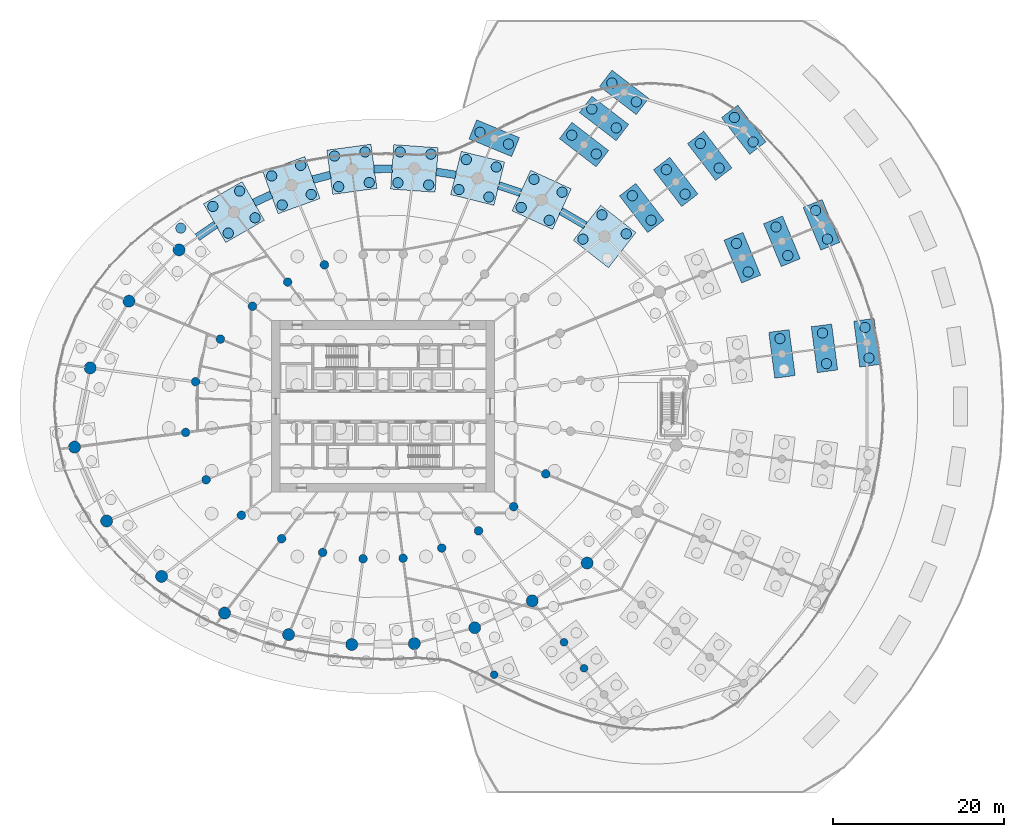
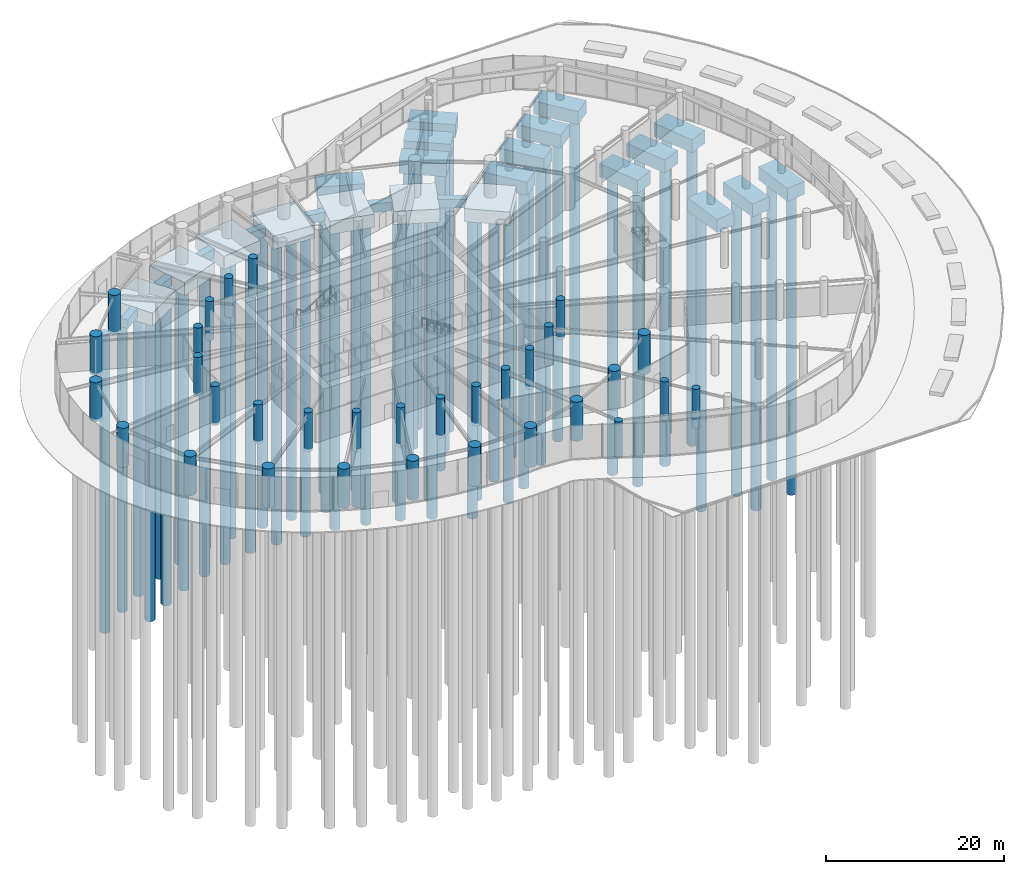
# One storey, part 3 of 28: 55 piles, 32 columns, 28 footings.
"""IFC4 building model written with IfcOpenShell, lengths in metres."""

from ifc_helpers import new_model, si_unit, direction, frame, origin, origin_2d, place, context, subcontext, project, spatial, line, indexed_curve, rectangle, circle, outline, extrude, source, transform, mapped, material, layer, layer_set, material_profile, profile_set, type_object, element, save


model = new_model("IFC4")

# Units and contexts
model_context = context("Model", 3, precision=1e-05, world=origin(), true_north=direction((0.0, 1.0)))
body_context = subcontext(model_context, "Body", "Model", "MODEL_VIEW")
ifc_project = project(units=[si_unit("LENGTHUNIT", "METRE"), si_unit("AREAUNIT", "SQUARE_METRE"), si_unit("VOLUMEUNIT", "CUBIC_METRE"), si_unit("PLANEANGLEUNIT", "RADIAN"), si_unit("MASSUNIT", "GRAM", prefix="KILO")], contexts=[model_context])

# Site, building, storey
site_placement = place(None, origin())
site = spatial("IfcSite", under=ifc_project, at=site_placement, CompositionType="ELEMENT")
building_placement = place(site_placement, origin())
building = spatial("IfcBuilding", under=site, at=building_placement, Name="Spindrift Exchange Tower", CompositionType="ELEMENT")
storey_placement = place(building_placement, origin())
storey = spatial("IfcBuildingStorey", under=building, at=storey_placement, Name="L00", CompositionType="ELEMENT", Elevation=0.0)

# Footings
ifc_material_1 = material(Name="Concrete 50 MPa", Category="concrete")
ifc_layer_1 = layer(ifc_material_1, 1.800048828125)
ifc_layer_set_1 = layer_set([ifc_layer_1], Name="Cascade Pile Cap Concrete 50 MPa")
footing_type_1 = type_object("IfcFootingType", Name="Cascade Pile Cap Concrete 50 MPa", PredefinedType="PILE_CAP", material=ifc_layer_set_1)
footing_1_placement = place(storey_placement, frame((0.0, 0.0, -2.14990234375)))
element("IfcFooting", 1, at=footing_1_placement, inside=storey, type_object=footing_type_1, Name="Pile cap G0-01", PredefinedType="PILE_CAP", context=body_context, shape_type="SweptSolid", body=[
    extrude(outline(indexed_curve([(107.5986328125, 52.5966796875), (106.89453125, 57.9501953125), (109.2734375, 58.263671875), (109.978515625, 52.91015625)], segments=[line(1, 2, 3, 4, 1)], self_intersect=False)), origin(), (0.0, 0.0, 1.0), 1.7998046875),
])
footing_2_placement = place(storey_placement, frame((0.0, 0.0, -2.14990234375)))
element("IfcFooting", 2, at=footing_2_placement, inside=storey, type_object=footing_type_1, Name="Pile cap G0-02", PredefinedType="PILE_CAP", context=body_context, shape_type="SweptSolid", body=[
    extrude(outline(indexed_curve([(103.056640625, 66.2255859375), (100.990234375, 71.21484375), (103.2080078125, 72.1337890625), (105.2744140625, 67.14453125)], segments=[line(1, 2, 3, 4, 1)], self_intersect=False)), origin(), (0.0, 0.0, 1.0), 1.7998046875),
])
footing_3_placement = place(storey_placement, frame((0.0, 0.0, -2.14990234375)))
element("IfcFooting", 3, at=footing_3_placement, inside=storey, type_object=footing_type_1, Name="Pile cap G0-03", PredefinedType="PILE_CAP", context=body_context, shape_type="SweptSolid", body=[
    extrude(outline(indexed_curve([(94.755859375, 77.404296875), (91.46875, 81.6884765625), (93.373046875, 83.1494140625), (96.66015625, 78.865234375)], segments=[line(1, 2, 3, 4, 1)], self_intersect=False)), origin(), (0.0, 0.0, 1.0), 1.7998046875),
])
footing_4_placement = place(storey_placement, frame((0.0, 0.0, -2.14990234375)))
element("IfcFooting", 4, at=footing_4_placement, inside=storey, type_object=footing_type_1, Name="Pile cap G0-04", PredefinedType="PILE_CAP", context=body_context, shape_type="SweptSolid", body=[
    extrude(outline(indexed_curve([(81.521484375, 82.037109375), (77.2373046875, 85.32421875), (78.6982421875, 87.228515625), (82.982421875, 83.94140625)], segments=[line(1, 2, 3, 4, 1)], self_intersect=False)), origin(), (0.0, 0.0, 1.0), 1.7998046875),
])
footing_5_placement = place(storey_placement, frame((0.0, 0.0, -2.14990234375)))
element("IfcFooting", 5, at=footing_5_placement, inside=storey, type_object=footing_type_1, Name="Pile cap G0-05", PredefinedType="PILE_CAP", context=body_context, shape_type="SweptSolid", body=[
    extrude(outline(indexed_curve([(66.9931640625, 77.1416015625), (62.0048828125, 79.2080078125), (62.9228515625, 81.42578125), (67.912109375, 79.359375)], segments=[line(1, 2, 3, 4, 1)], self_intersect=False)), origin(), (0.0, 0.0, 1.0), 1.7998046875),
])
footing_6_placement = place(storey_placement, frame((0.0, 0.0, -2.14990234375)))
element("IfcFooting", 6, at=footing_6_placement, inside=storey, type_object=footing_type_1, Name="Pile cap G1-01", PredefinedType="PILE_CAP", context=body_context, shape_type="SweptSolid", body=[
    extrude(outline(indexed_curve([(102.642578125, 51.9443359375), (101.9375, 57.2978515625), (104.31640625, 57.611328125), (105.021484375, 52.2568359375)], segments=[line(1, 2, 3, 4, 1)], self_intersect=False)), origin(), (0.0, 0.0, 1.0), 1.7998046875),
])
footing_7_placement = place(storey_placement, frame((0.0, 0.0, -2.14990234375)))
element("IfcFooting", 7, at=footing_7_placement, inside=storey, type_object=footing_type_1, Name="Pile cap G1-02", PredefinedType="PILE_CAP", context=body_context, shape_type="SweptSolid", body=[
    extrude(outline(indexed_curve([(98.4375, 64.3125), (96.37109375, 69.3017578125), (98.5888671875, 70.2197265625), (100.6552734375, 65.2314453125)], segments=[line(1, 2, 3, 4, 1)], self_intersect=False)), origin(), (0.0, 0.0, 1.0), 1.7998046875),
])
footing_8_placement = place(storey_placement, frame((0.0, 0.0, -2.14990234375)))
element("IfcFooting", 8, at=footing_8_placement, inside=storey, type_object=footing_type_1, Name="Pile cap G1-03", PredefinedType="PILE_CAP", context=body_context, shape_type="SweptSolid", body=[
    extrude(outline(indexed_curve([(90.7890625, 74.361328125), (87.501953125, 78.64453125), (89.40625, 80.1064453125), (92.693359375, 75.822265625)], segments=[line(1, 2, 3, 4, 1)], self_intersect=False)), origin(), (0.0, 0.0, 1.0), 1.7998046875),
])
footing_9_placement = place(storey_placement, frame((0.0, 0.0, -2.14990234375)))
element("IfcFooting", 9, at=footing_9_placement, inside=storey, type_object=footing_type_1, Name="Pile cap G1-04", PredefinedType="PILE_CAP", context=body_context, shape_type="SweptSolid", body=[
    extrude(outline(indexed_curve([(79.1845703125, 78.9921875), (74.900390625, 82.279296875), (76.361328125, 84.18359375), (80.6455078125, 80.896484375)], segments=[line(1, 2, 3, 4, 1)], self_intersect=False)), origin(), (0.0, 0.0, 1.0), 1.7998046875),
])
footing_10_placement = place(storey_placement, frame((0.0, 0.0, -2.14990234375)))
element("IfcFooting", 10, at=footing_10_placement, inside=storey, type_object=footing_type_1, Name="Pile cap G2-01", PredefinedType="PILE_CAP", context=body_context, shape_type="SweptSolid", body=[
    extrude(outline(indexed_curve([(97.685546875, 51.291015625), (96.98046875, 56.6455078125), (99.359375, 56.9580078125), (100.064453125, 51.6044921875)], segments=[line(1, 2, 3, 4, 1)], self_intersect=False)), origin(), (0.0, 0.0, 1.0), 1.7998046875),
])
footing_11_placement = place(storey_placement, frame((0.0, 0.0, -2.14990234375)))
element("IfcFooting", 11, at=footing_11_placement, inside=storey, type_object=footing_type_1, Name="Pile cap G2-02", PredefinedType="PILE_CAP", context=body_context, shape_type="SweptSolid", body=[
    extrude(outline(indexed_curve([(93.818359375, 62.3994140625), (91.751953125, 67.388671875), (93.9697265625, 68.306640625), (96.0361328125, 63.3173828125)], segments=[line(1, 2, 3, 4, 1)], self_intersect=False)), origin(), (0.0, 0.0, 1.0), 1.7998046875),
])
footing_12_placement = place(storey_placement, frame((0.0, 0.0, -2.14990234375)))
element("IfcFooting", 12, at=footing_12_placement, inside=storey, type_object=footing_type_1, Name="Pile cap G2-03", PredefinedType="PILE_CAP", context=body_context, shape_type="SweptSolid", body=[
    extrude(outline(indexed_curve([(86.8232421875, 71.3173828125), (83.53515625, 75.6015625), (85.439453125, 77.0625), (88.7265625, 72.7783203125)], segments=[line(1, 2, 3, 4, 1)], self_intersect=False)), origin(), (0.0, 0.0, 1.0), 1.7998046875),
])
footing_13_placement = place(storey_placement, frame((0.0, 0.0, -2.14990234375)))
element("IfcFooting", 13, at=footing_13_placement, inside=storey, type_object=footing_type_1, Name="Pile cap G2-04", PredefinedType="PILE_CAP", context=body_context, shape_type="SweptSolid", body=[
    extrude(outline(indexed_curve([(76.84765625, 75.947265625), (72.5634765625, 79.234375), (74.0244140625, 81.138671875), (78.30859375, 77.8515625)], segments=[line(1, 2, 3, 4, 1)], self_intersect=False)), origin(), (0.0, 0.0, 1.0), 1.7998046875),
])
footing_14_placement = place(storey_placement, frame((0.0, 0.0, -2.14990234375)))
element("IfcFooting", 14, at=footing_14_placement, inside=storey, type_object=footing_type_1, Name="Pile cap G3-03", PredefinedType="PILE_CAP", context=body_context, shape_type="SweptSolid", body=[
    extrude(outline(indexed_curve([(82.8564453125, 68.2734375), (79.5693359375, 72.5576171875), (81.47265625, 74.0185546875), (84.7607421875, 69.734375)], segments=[line(1, 2, 3, 4, 1)], self_intersect=False)), origin(), (0.0, 0.0, 1.0), 1.7998046875),
])
ifc_layer_2 = layer(ifc_material_1, 1.800048828125)
ifc_layer_set_2 = layer_set([ifc_layer_2], Name="Pile Cap Concrete 50 MPa")
footing_type_2 = type_object("IfcFootingType", Name="Pile Cap Concrete 50 MPa", PredefinedType="PILE_CAP", material=ifc_layer_set_2)
footing_15_placement = place(storey_placement, frame((0.0, 0.0, -2.14990234375)))
element("IfcFooting", 15, at=footing_15_placement, inside=storey, type_object=footing_type_2, Name="Pile cap P1-03", PredefinedType="PILE_CAP", context=body_context, shape_type="SweptSolid", body=[
    extrude(outline(indexed_curve([(81.4853515625, 68.2734375), (77.38671875, 71.4736328125), (74.1865234375, 67.375), (78.28515625, 64.1748046875)], segments=[line(1, 2, 3, 4, 1)], self_intersect=False)), origin(), (0.0, 0.0, 1.0), 1.7998046875),
])
footing_16_placement = place(storey_placement, frame((0.0, 0.0, -2.14990234375)))
element("IfcFooting", 16, at=footing_16_placement, inside=storey, type_object=footing_type_2, Name="Pile cap P1-04", PredefinedType="PILE_CAP", context=body_context, shape_type="SweptSolid", body=[
    extrude(outline(indexed_curve([(73.939453125, 73.380859375), (69.2119140625, 75.546875), (67.0458984375, 70.8193359375), (71.7734375, 68.6533203125)], segments=[line(1, 2, 3, 4, 1)], self_intersect=False)), origin(), (0.0, 0.0, 1.0), 1.7998046875),
])
footing_17_placement = place(storey_placement, frame((0.0, 0.0, -2.14990234375)))
element("IfcFooting", 17, at=footing_17_placement, inside=storey, type_object=footing_type_2, Name="Pile cap P1-05", PredefinedType="PILE_CAP", context=body_context, shape_type="SweptSolid", body=[
    extrude(outline(indexed_curve([(66.169921875, 76.5126953125), (61.12109375, 77.7587890625), (59.8759765625, 72.7099609375), (64.923828125, 71.4638671875)], segments=[line(1, 2, 3, 4, 1)], self_intersect=False)), origin(), (0.0, 0.0, 1.0), 1.7998046875),
])
footing_18_placement = place(storey_placement, frame((0.0, 0.0, -2.14990234375)))
element("IfcFooting", 18, at=footing_18_placement, inside=storey, type_object=footing_type_2, Name="Pile cap P1-06", PredefinedType="PILE_CAP", context=body_context, shape_type="SweptSolid", body=[
    extrude(outline(indexed_curve([(58.43359375, 78.1689453125), (53.2470703125, 78.5400390625), (52.8759765625, 73.353515625), (58.0625, 72.982421875)], segments=[line(1, 2, 3, 4, 1)], self_intersect=False)), origin(), (0.0, 0.0, 1.0), 1.7998046875),
])
footing_19_placement = place(storey_placement, frame((0.0, 0.0, -2.14990234375)))
element("IfcFooting", 19, at=footing_19_placement, inside=storey, type_object=footing_type_2, Name="Pile cap P1-07", PredefinedType="PILE_CAP", context=body_context, shape_type="SweptSolid", body=[
    extrude(outline(indexed_curve([(50.583984375, 78.587890625), (45.431640625, 77.88671875), (46.1328125, 72.734375), (51.28515625, 73.435546875)], segments=[line(1, 2, 3, 4, 1)], self_intersect=False)), origin(), (0.0, 0.0, 1.0), 1.7998046875),
])
footing_20_placement = place(storey_placement, frame((0.0, 0.0, -2.14990234375)))
element("IfcFooting", 20, at=footing_20_placement, inside=storey, type_object=footing_type_2, Name="Pile cap P1-08", PredefinedType="PILE_CAP", context=body_context, shape_type="SweptSolid", body=[
    extrude(outline(indexed_curve([(42.8671875, 77.1396484375), (37.978515625, 75.3662109375), (39.751953125, 70.4775390625), (44.640625, 72.2509765625)], segments=[line(1, 2, 3, 4, 1)], self_intersect=False)), origin(), (0.0, 0.0, 1.0), 1.7998046875),
])
footing_21_placement = place(storey_placement, frame((0.0, 0.0, -2.14990234375)))
element("IfcFooting", 21, at=footing_21_placement, inside=storey, type_object=footing_type_2, Name="Pile cap P1-09", PredefinedType="PILE_CAP", context=body_context, shape_type="SweptSolid", body=[
    extrude(outline(indexed_curve([(35.5595703125, 74.2216796875), (31.052734375, 71.6279296875), (33.6474609375, 67.12109375), (38.1533203125, 69.71484375)], segments=[line(1, 2, 3, 4, 1)], self_intersect=False)), origin(), (0.0, 0.0, 1.0), 1.7998046875),
])

# Piles
ifc_material_2 = material(Name="Concrete 40 MPa", Category="concrete")
ifc_material_profile_1 = material_profile(ifc_material_2, circle(Radius=0.60009765625, at=origin_2d()), Name="BP D1200")
ifc_profile_set_1 = profile_set([ifc_material_profile_1], Name="Concrete 40 MPa")
pile_type = type_object("IfcPileType", Name="Bored Pile D1200 Concrete 40 MPa", PredefinedType="BORED", material=ifc_profile_set_1)
shared_shape_1 = source(origin(), body_context, "Body", "SweptSolid", [
    extrude(circle(Radius=0.60009765625, at=origin_2d()), origin(), (0.0, 0.0, 1.0), 40.85009765625),
])
for number, where, z_axis, x_axis, name in (
    (22, (80.362060546875, 68.13525390625, -2.14990234375), (0.0, 0.0, -1.0), (1.0, 0.0, 0.0), "Bored pile P1-03-1"),
    (23, (77.524658203125, 70.350830078125, -2.14990234375), (0.0, 0.0, -1.0), (1.0, 0.0, 0.0), "Bored pile P1-03-2"),
    (24, (75.30908203125, 67.513427734375, -2.14990234375), (0.0, 0.0, -1.0), (1.0, 0.0, 0.0), "Bored pile P1-03-3"),
    (25, (72.87841796875, 72.986328125, -2.14990234375), (0.0, 0.0, -1.0), (1.0, 0.0, 0.0), "Bored pile P1-04-1"),
    (26, (69.605712890625, 74.48583984375, -2.14990234375), (0.0, 0.0, -1.0), (1.0, 0.0, 0.0), "Bored pile P1-04-2"),
    (27, (68.106201171875, 71.213134765625, -2.14990234375), (0.0, 0.0, -1.0), (1.0, 0.0, 0.0), "Bored pile P1-04-3"),
    (28, (71.37890625, 69.71337890625, -2.14990234375), (0.0, 0.0, -1.0), (1.0, 0.0, 0.0), "Bored pile P1-04-4"),
    (29, (65.20166015625, 75.927734375, -2.14990234375), (0.0, 0.0, -1.0), (1.0, 0.0, 0.0), "Bored pile P1-05-1"),
    (30, (61.70654296875, 76.790283203125, -2.14990234375), (0.0, 0.0, -1.0), (1.0, 0.0, 0.0), "Bored pile P1-05-2"),
    (31, (60.843994140625, 73.295166015625, -2.14990234375), (0.0, 0.0, -1.0), (1.0, 0.0, 0.0), "Bored pile P1-05-3"),
    (32, (64.339111328125, 72.4326171875, -2.14990234375), (0.0, 0.0, -1.0), (1.0, 0.0, 0.0), "Bored pile P1-05-4"),
    (33, (57.578857421875, 77.42822265625, -2.14990234375), (0.0, 0.0, -1.0), (1.0, 0.0, 0.0), "Bored pile P1-06-1"),
    (34, (53.988037109375, 77.685302734375, -2.14990234375), (0.0, 0.0, -1.0), (1.0, 0.0, 0.0), "Bored pile P1-06-2"),
    (35, (53.73095703125, 74.094482421875, -2.14990234375), (0.0, 0.0, -1.0), (1.0, 0.0, 0.0), "Bored pile P1-06-3"),
    (36, (57.32177734375, 73.83740234375, -2.14990234375), (0.0, 0.0, -1.0), (1.0, 0.0, 0.0), "Bored pile P1-06-4"),
    (37, (49.899169921875, 77.6875, -2.14990234375), (0.0, 0.0, -1.0), (1.0, 0.0, 0.0), "Bored pile P1-07-1"),
    (38, (46.33203125, 77.2021484375, -2.14990234375), (0.0, 0.0, -1.0), (1.0, 0.0, 0.0), "Bored pile P1-07-2"),
    (39, (46.8173828125, 73.635009765625, -2.14990234375), (0.0, 0.0, -1.0), (1.0, 0.0, 0.0), "Bored pile P1-07-3"),
    (40, (50.384521484375, 74.12060546875, -2.14990234375), (0.0, 0.0, -1.0), (1.0, 0.0, 0.0), "Bored pile P1-07-4"),
    (41, (42.387939453125, 76.114501953125, -2.14990234375), (0.0, 0.0, -1.0), (1.0, 0.0, 0.0), "Bored pile P1-08-1"),
    (42, (39.00390625, 74.886962890625, -2.14990234375), (0.0, 0.0, -1.0), (1.0, 0.0, 0.0), "Bored pile P1-08-2"),
    (43, (40.2314453125, 71.502685546875, -2.14990234375), (0.0, 0.0, -1.0), (1.0, 0.0, 0.0), "Bored pile P1-08-3"),
    (44, (43.615478515625, 72.730224609375, -2.14990234375), (0.0, 0.0, -1.0), (1.0, 0.0, 0.0), "Bored pile P1-08-4"),
    (45, (35.265380859375, 73.129638671875, -2.14990234375), (0.0, 0.0, -1.0), (1.0, 0.0, 0.0), "Bored pile P1-09-1"),
    (46, (32.1455078125, 71.333740234375, -2.14990234375), (0.0, 0.0, -1.0), (1.0, 0.0, 0.0), "Bored pile P1-09-2"),
    (47, (33.94140625, 68.213623046875, -2.14990234375), (0.0, 0.0, -1.0), (1.0, 0.0, 0.0), "Bored pile P1-09-3"),
    (48, (37.061279296875, 70.009521484375, -2.14990234375), (0.0, 0.0, -1.0), (1.0, 0.0, 0.0), "Bored pile P1-09-4"),
    (49, (28.4072265625, 68.7998046875, -2.14990234375), (0.0, 0.0, -1.0), (1.0, 0.0, 0.0), "Bored pile P1-10-1"),
    (50, (108.67138671875, 53.6455078125, -2.14990234375), (0.0, 0.0, -1.0), (1.0, 0.0, 0.0), "Bored pile G0-01-1"),
    (51, (108.201416015625, 57.214599609375, -2.14990234375), (0.0, 0.0, -1.0), (1.0, 0.0, 0.0), "Bored pile G0-01-2"),
    (52, (103.821044921875, 67.5166015625, -2.14990234375), (0.0, 0.0, -1.0), (1.0, 0.0, 0.0), "Bored pile G0-02-1"),
    (53, (102.443603515625, 70.8427734375, -2.14990234375), (0.0, 0.0, -1.0), (1.0, 0.0, 0.0), "Bored pile G0-02-2"),
    (54, (95.160400390625, 78.84912109375, -2.14990234375), (0.0, 0.0, -1.0), (1.0, 0.0, 0.0), "Bored pile G0-03-1"),
    (55, (92.96875, 81.705078125, -2.14990234375), (0.0, 0.0, -1.0), (1.0, 0.0, 0.0), "Bored pile G0-03-2"),
    (56, (81.53759765625, 83.537353515625, -2.14990234375), (0.0, 0.0, -1.0), (1.0, 0.0, 0.0), "Bored pile G0-04-1"),
    (57, (78.681640625, 85.72900390625, -2.14990234375), (0.0, 0.0, -1.0), (1.0, 0.0, 0.0), "Bored pile G0-04-2"),
    (58, (66.62109375, 78.5947265625, -2.14990234375), (0.0, 0.0, -1.0), (1.0, 0.0, 0.0), "Bored pile G0-05-1"),
    (59, (63.295166015625, 79.972412109375, -2.14990234375), (0.0, 0.0, -1.0), (1.0, 0.0, 0.0), "Bored pile G0-05-2"),
    (60, (103.71435546875, 52.992919921875, -2.14990234375), (0.0, 0.0, -1.0), (1.0, 0.0, 0.0), "Bored pile G1-01-1"),
    (61, (103.244384765625, 56.56201171875, -2.14990234375), (0.0, 0.0, -1.0), (1.0, 0.0, 0.0), "Bored pile G1-01-2"),
    (62, (99.201904296875, 65.603515625, -2.14990234375), (0.0, 0.0, -1.0), (1.0, 0.0, 0.0), "Bored pile G1-02-1"),
    (63, (97.82421875, 68.929443359375, -2.14990234375), (0.0, 0.0, -1.0), (1.0, 0.0, 0.0), "Bored pile G1-02-2"),
    (64, (91.193603515625, 75.805419921875, -2.14990234375), (0.0, 0.0, -1.0), (1.0, 0.0, 0.0), "Bored pile G1-03-1"),
    (65, (89.002197265625, 78.66162109375, -2.14990234375), (0.0, 0.0, -1.0), (1.0, 0.0, 0.0), "Bored pile G1-03-2"),
    (66, (79.200927734375, 80.4921875, -2.14990234375), (0.0, 0.0, -1.0), (1.0, 0.0, 0.0), "Bored pile G1-04-1"),
    (67, (76.344970703125, 82.683837890625, -2.14990234375), (0.0, 0.0, -1.0), (1.0, 0.0, 0.0), "Bored pile G1-04-2"),
    (68, (98.28759765625, 55.909423828125, -2.14990234375), (0.0, 0.0, -1.0), (1.0, 0.0, 0.0), "Bored pile G2-01-2"),
    (69, (94.582763671875, 63.68994140625, -2.14990234375), (0.0, 0.0, -1.0), (1.0, 0.0, 0.0), "Bored pile G2-02-1"),
    (70, (93.205078125, 67.01611328125, -2.14990234375), (0.0, 0.0, -1.0), (1.0, 0.0, 0.0), "Bored pile G2-02-2"),
    (71, (87.22705078125, 72.76171875, -2.14990234375), (0.0, 0.0, -1.0), (1.0, 0.0, 0.0), "Bored pile G2-03-1"),
    (72, (85.035400390625, 75.617919921875, -2.14990234375), (0.0, 0.0, -1.0), (1.0, 0.0, 0.0), "Bored pile G2-03-2"),
    (73, (76.8642578125, 77.447021484375, -2.14990234375), (0.0, 0.0, -1.0), (1.0, 0.0, 0.0), "Bored pile G2-04-1"),
    (74, (74.00830078125, 79.638671875, -2.14990234375), (0.0, 0.0, -1.0), (1.0, 0.0, 0.0), "Bored pile G2-04-2"),
    (75, (83.260498046875, 69.718017578125, -2.14990234375), (0.0, 0.0, -1.0), (1.0, 0.0, 0.0), "Bored pile G3-03-1"),
    (76, (81.06884765625, 72.57421875, -2.14990234375), (0.0, 0.0, -1.0), (1.0, 0.0, 0.0), "Bored pile G3-03-2"),
):
    element("IfcPile", number, at=place(storey_placement, frame(where, z_axis=z_axis, x_axis=x_axis)), inside=storey, type_object=pile_type, Name=name, PredefinedType="BORED", context=body_context, shape_type="MappedRepresentation", body=[
        mapped(shared_shape_1, transform((0.0, 0.0, 0.0), scale=1.0)),
    ])

# Footings
ifc_material_profile_2 = material_profile(ifc_material_1, rectangle(XDim=0.89990234375, YDim=1.199951171875, at=origin_2d()), Name="RC 900x1200")
ifc_profile_set_2 = profile_set([ifc_material_profile_2], Name="Concrete 50 MPa")
footing_type_3 = type_object("IfcFootingType", Name="Ground Tie Beam Concrete 50 MPa", PredefinedType="FOOTING_BEAM", material=ifc_profile_set_2)
shared_shape_2 = source(origin(), body_context, "Body", "SweptSolid", [
    extrude(rectangle(XDim=0.89990234375, YDim=1.199951171875, at=origin_2d()), origin(), (0.0, 0.0, 1.0), 3.30078125),
])
footing_22_placement = place(storey_placement, frame((75.585205078125, 69.134521484375, -0.949951171875), z_axis=(-0.864186373898, 0.503171850533, 0.0), x_axis=(-0.503171850533, -0.864186373898, 0.0)))
element("IfcFooting", 77, at=footing_22_placement, inside=storey, type_object=footing_type_3, Name="Ground tie beam TB03", PredefinedType="FOOTING_BEAM", context=body_context, shape_type="MappedRepresentation", body=[
    mapped(shared_shape_2, transform((0.0, 0.0, 0.0), scale=1.0)),
])
shared_shape_3 = source(origin(), body_context, "Body", "SweptSolid", [
    extrude(rectangle(XDim=0.89990234375, YDim=1.199951171875, at=origin_2d()), origin(), (0.0, 0.0, 1.0), 2.697265625),
])
footing_23_placement = place(storey_placement, frame((68.033203125, 72.926513671875, -0.949951171875), z_axis=(-0.947829062971, 0.318779025953, 0.0), x_axis=(-0.318779025953, -0.947829062971, 0.0)))
element("IfcFooting", 78, at=footing_23_placement, inside=storey, type_object=footing_type_3, Name="Ground tie beam TB04", PredefinedType="FOOTING_BEAM", context=body_context, shape_type="MappedRepresentation", body=[
    mapped(shared_shape_3, transform((0.0, 0.0, 0.0), scale=1.0)),
])
shared_shape_4 = source(origin(), body_context, "Body", "SweptSolid", [
    extrude(rectangle(XDim=0.89990234375, YDim=1.199951171875, at=origin_2d()), origin(), (0.0, 0.0, 1.0), 2.2783203125),
])
footing_24_placement = place(storey_placement, frame((60.4638671875, 75.0107421875, -0.949951171875), z_axis=(-0.988038579909, 0.15420688899, 0.0), x_axis=(-0.15420688899, -0.988038579909, 0.0)))
element("IfcFooting", 79, at=footing_24_placement, inside=storey, type_object=footing_type_3, Name="Ground tie beam TB05", PredefinedType="FOOTING_BEAM", context=body_context, shape_type="MappedRepresentation", body=[
    mapped(shared_shape_4, transform((0.0, 0.0, 0.0), scale=1.0)),
])
shared_shape_5 = source(origin(), body_context, "Body", "SweptSolid", [
    extrude(rectangle(XDim=0.89990234375, YDim=1.199951171875, at=origin_2d()), origin(), (0.0, 0.0, 1.0), 2.1083984375),
])
footing_25_placement = place(storey_placement, frame((53.065673828125, 75.725830078125, -0.949951171875), z_axis=(-0.99990664265, -0.013664039818, 0.0), x_axis=(0.013664039818, -0.99990664265, 0.0)))
element("IfcFooting", 80, at=footing_25_placement, inside=storey, type_object=footing_type_3, Name="Ground tie beam TB06", PredefinedType="FOOTING_BEAM", context=body_context, shape_type="MappedRepresentation", body=[
    mapped(shared_shape_5, transform((0.0, 0.0, 0.0), scale=1.0)),
])
shared_shape_6 = source(origin(), body_context, "Body", "SweptSolid", [
    extrude(rectangle(XDim=0.89990234375, YDim=1.199951171875, at=origin_2d()), origin(), (0.0, 0.0, 1.0), 2.09765625),
])
footing_26_placement = place(storey_placement, frame((45.84423828125, 75.00048828125, -0.949951171875), z_axis=(-0.96715589669, -0.254183932415, 0.0), x_axis=(0.254183932415, -0.96715589669, 0.0)))
element("IfcFooting", 81, at=footing_26_placement, inside=storey, type_object=footing_type_3, Name="Ground tie beam TB07", PredefinedType="FOOTING_BEAM", context=body_context, shape_type="MappedRepresentation", body=[
    mapped(shared_shape_6, transform((0.0, 0.0, 0.0), scale=1.0)),
])
shared_shape_7 = source(origin(), body_context, "Body", "SweptSolid", [
    extrude(rectangle(XDim=0.89990234375, YDim=1.199951171875, at=origin_2d()), origin(), (0.0, 0.0, 1.0), 2.223876953125),
])
footing_27_placement = place(storey_placement, frame((38.96337890625, 72.7109375, -0.949951171875), z_axis=(-0.905823813341, -0.423654598919, 0.0), x_axis=(0.423654598919, -0.905823813341, 0.0)))
element("IfcFooting", 82, at=footing_27_placement, inside=storey, type_object=footing_type_3, Name="Ground tie beam TB08", PredefinedType="FOOTING_BEAM", context=body_context, shape_type="MappedRepresentation", body=[
    mapped(shared_shape_7, transform((0.0, 0.0, 0.0), scale=1.0)),
])
shared_shape_8 = source(origin(), body_context, "Body", "SweptSolid", [
    extrude(rectangle(XDim=0.89990234375, YDim=1.199951171875, at=origin_2d()), origin(), (0.0, 0.0, 1.0), 2.593017578125),
])
footing_28_placement = place(storey_placement, frame((32.47119140625, 69.203857421875, -0.949951171875), z_axis=(-0.823657127419, -0.567088120535, 0.0), x_axis=(0.567088120535, -0.823657127419, 0.0)))
element("IfcFooting", 83, at=footing_28_placement, inside=storey, type_object=footing_type_3, Name="Ground tie beam TB09", PredefinedType="FOOTING_BEAM", context=body_context, shape_type="MappedRepresentation", body=[
    mapped(shared_shape_8, transform((0.0, 0.0, 0.0), scale=1.0)),
])

# Columns
ifc_material_3 = material(Name="Concrete 80 MPa", Category="concrete")
ifc_material_profile_3 = material_profile(ifc_material_3, circle(Radius=0.699951171875, at=origin_2d()), Name="RC D1400")
ifc_profile_set_3 = profile_set([ifc_material_profile_3], Name="Concrete 80 MPa")
column_type_1 = type_object("IfcColumnType", Name="RC Perimeter Column D1400 Concrete 80 MPa", PredefinedType="COLUMN", material=ifc_profile_set_3)
shared_shape_9 = source(origin(), body_context, "Body", "SweptSolid", [
    extrude(circle(Radius=0.699951171875, at=origin_2d()), origin(), (0.0, 0.0, 1.0), 5.35009765625),
])
for number, where, z_axis, x_axis, name in (
    (84, (28.199462890625, 66.2626953125, -0.35009765625), (0.0, 0.0, 1.0), (1.0, 0.0, 0.0), "Perimeter column P1-10 L00"),
    (85, (22.35546875, 60.279296875, -0.35009765625), (0.0, 0.0, 1.0), (1.0, 0.0, 0.0), "Perimeter column P1-11 L00"),
    (86, (17.8388671875, 52.497314453125, -0.35009765625), (0.0, 0.0, 1.0), (1.0, 0.0, 0.0), "Perimeter column P1-12 L00"),
    (87, (16.009521484375, 43.26171875, -0.35009765625), (0.0, 0.0, 1.0), (1.0, 0.0, 0.0), "Perimeter column P1-13 L00"),
    (88, (19.751220703125, 34.64208984375, -0.35009765625), (0.0, 0.0, 1.0), (1.0, 0.0, 0.0), "Perimeter column P1-14 L00"),
    (89, (26.164306640625, 28.17578125, -0.35009765625), (0.0, 0.0, 1.0), (1.0, 0.0, 0.0), "Perimeter column P1-15 L00"),
    (90, (33.5078125, 23.900390625, -0.35009765625), (0.0, 0.0, 1.0), (1.0, 0.0, 0.0), "Perimeter column P1-16 L00"),
    (91, (40.977294921875, 21.388671875, -0.35009765625), (0.0, 0.0, 1.0), (1.0, 0.0, 0.0), "Perimeter column P1-17 L00"),
    (92, (48.34521484375, 20.238525390625, -0.35009765625), (0.0, 0.0, 1.0), (1.0, 0.0, 0.0), "Perimeter column P1-18 L00"),
    (93, (55.6416015625, 20.338623046875, -0.35009765625), (0.0, 0.0, 1.0), (1.0, 0.0, 0.0), "Perimeter column P1-19 L00"),
    (94, (62.690185546875, 22.19140625, -0.35009765625), (0.0, 0.0, 1.0), (1.0, 0.0, 0.0), "Perimeter column P1-20 L00"),
    (95, (69.396484375, 25.328369140625, -0.35009765625), (0.0, 0.0, 1.0), (1.0, 0.0, 0.0), "Perimeter column P1-21 L00"),
    (96, (75.800537109375, 29.7373046875, -0.35009765625), (0.0, 0.0, 1.0), (1.0, 0.0, 0.0), "Perimeter column P1-22 L00"),
):
    element("IfcColumn", number, at=place(storey_placement, frame(where, z_axis=z_axis, x_axis=x_axis)), inside=storey, type_object=column_type_1, Name=name, PredefinedType="COLUMN", context=body_context, shape_type="MappedRepresentation", body=[
        mapped(shared_shape_9, transform((0.0, 0.0, 0.0), scale=1.0)),
    ])
ifc_material_profile_4 = material_profile(ifc_material_3, circle(Radius=0.5, at=origin_2d()), Name="RC D1000")
ifc_profile_set_4 = profile_set([ifc_material_profile_4], Name="Concrete 80 MPa")
column_type_2 = type_object("IfcColumnType", Name="RC Inner Column D1000 Concrete 80 MPa", PredefinedType="COLUMN", material=ifc_profile_set_4)
shared_shape_10 = source(origin(), body_context, "Body", "SweptSolid", [
    extrude(circle(Radius=0.5, at=origin_2d()), origin(), (0.0, 0.0, 1.0), 5.35009765625),
])
for number, where, z_axis, x_axis, name in (
    (97, (45.158203125, 64.517578125, -0.35009765625), (0.0, 0.0, 1.0), (1.0, 0.0, 0.0), "Inner column Q1-08 L00"),
    (98, (40.8662109375, 62.510009765625, -0.35009765625), (0.0, 0.0, 1.0), (1.0, 0.0, 0.0), "Inner column Q1-09 L00"),
    (99, (36.767578125, 59.688232421875, -0.35009765625), (0.0, 0.0, 1.0), (1.0, 0.0, 0.0), "Inner column Q1-10 L00"),
    (100, (33.027587890625, 55.858642578125, -0.35009765625), (0.0, 0.0, 1.0), (1.0, 0.0, 0.0), "Inner column Q1-11 L00"),
    (101, (30.13671875, 50.87841796875, -0.35009765625), (0.0, 0.0, 1.0), (1.0, 0.0, 0.0), "Inner column Q1-12 L00"),
    (102, (28.966064453125, 44.967529296875, -0.35009765625), (0.0, 0.0, 1.0), (1.0, 0.0, 0.0), "Inner column Q1-13 L00"),
    (103, (31.360595703125, 39.450927734375, -0.35009765625), (0.0, 0.0, 1.0), (1.0, 0.0, 0.0), "Inner column Q1-14 L00"),
    (104, (35.465087890625, 35.3125, -0.35009765625), (0.0, 0.0, 1.0), (1.0, 0.0, 0.0), "Inner column Q1-15 L00"),
    (105, (40.164794921875, 32.576171875, -0.35009765625), (0.0, 0.0, 1.0), (1.0, 0.0, 0.0), "Inner column Q1-16 L00"),
    (106, (44.9453125, 30.96875, -0.35009765625), (0.0, 0.0, 1.0), (1.0, 0.0, 0.0), "Inner column Q1-17 L00"),
    (107, (49.660888671875, 30.232666015625, -0.35009765625), (0.0, 0.0, 1.0), (1.0, 0.0, 0.0), "Inner column Q1-18 L00"),
    (108, (54.330810546875, 30.296875, -0.35009765625), (0.0, 0.0, 1.0), (1.0, 0.0, 0.0), "Inner column Q1-19 L00"),
    (109, (58.841796875, 31.482421875, -0.35009765625), (0.0, 0.0, 1.0), (1.0, 0.0, 0.0), "Inner column Q1-20 L00"),
    (110, (63.1337890625, 33.489990234375, -0.35009765625), (0.0, 0.0, 1.0), (1.0, 0.0, 0.0), "Inner column Q1-21 L00"),
    (111, (67.232421875, 36.311767578125, -0.35009765625), (0.0, 0.0, 1.0), (1.0, 0.0, 0.0), "Inner column Q1-22 L00"),
    (112, (70.972412109375, 40.141357421875, -0.35009765625), (0.0, 0.0, 1.0), (1.0, 0.0, 0.0), "Inner column Q1-23 L00"),
):
    element("IfcColumn", number, at=place(storey_placement, frame(where, z_axis=z_axis, x_axis=x_axis)), inside=storey, type_object=column_type_2, Name=name, PredefinedType="COLUMN", context=body_context, shape_type="MappedRepresentation", body=[
        mapped(shared_shape_10, transform((0.0, 0.0, 0.0), scale=1.0)),
    ])
ifc_material_profile_5 = material_profile(ifc_material_1, circle(Radius=0.449951171875, at=origin_2d()), Name="RC D900")
ifc_profile_set_5 = profile_set([ifc_material_profile_5], Name="Concrete 50 MPa")
column_type_3 = type_object("IfcColumnType", Name="RC Cascade Column D900 Concrete 50 MPa", PredefinedType="COLUMN", material=ifc_profile_set_5)
shared_shape_11 = source(origin(), body_context, "Body", "SweptSolid", [
    extrude(circle(Radius=0.449951171875, at=origin_2d()), origin(), (0.0, 0.0, 1.0), 5.0),
])
column_placement = place(storey_placement, frame((64.9580078125, 16.71630859375, -0.35009765625), z_axis=(0.0, 0.0, 1.0), x_axis=(1.0, 0.0, 0.0)))
element("IfcColumn", 113, at=column_placement, inside=storey, type_object=column_type_3, Name="Cascade column G0-20 L00", PredefinedType="COLUMN", context=body_context, shape_type="MappedRepresentation", body=[
    mapped(shared_shape_11, transform((0.0, 0.0, 0.0), scale=1.0)),
])
shared_shape_12 = source(origin(), body_context, "Body", "SweptSolid", [
    extrude(circle(Radius=0.449951171875, at=origin_2d()), origin(), (0.0, 0.0, 1.0), 5.35009765625),
])
for number, where, z_axis, x_axis, name in (
    (114, (75.436279296875, 17.457275390625, -0.35009765625), (0.0, 0.0, 1.0), (1.0, 0.0, 0.0), "Cascade column G2-21 L00"),
    (115, (73.099609375, 20.502685546875, -0.35009765625), (0.0, 0.0, 1.0), (1.0, 0.0, 0.0), "Cascade column G3-21 L00"),
):
    element("IfcColumn", number, at=place(storey_placement, frame(where, z_axis=z_axis, x_axis=x_axis)), inside=storey, type_object=column_type_3, Name=name, PredefinedType="COLUMN", context=body_context, shape_type="MappedRepresentation", body=[
        mapped(shared_shape_12, transform((0.0, 0.0, 0.0), scale=1.0)),
    ])

save(model, "model.ifc")
